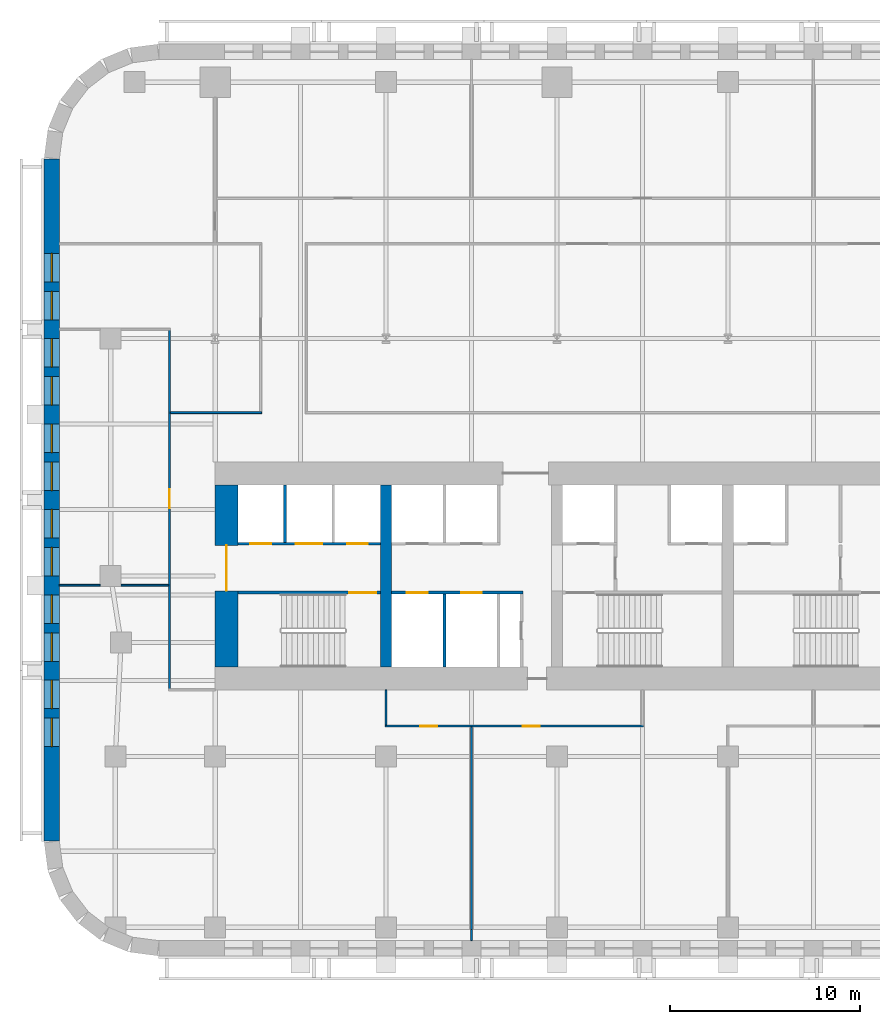
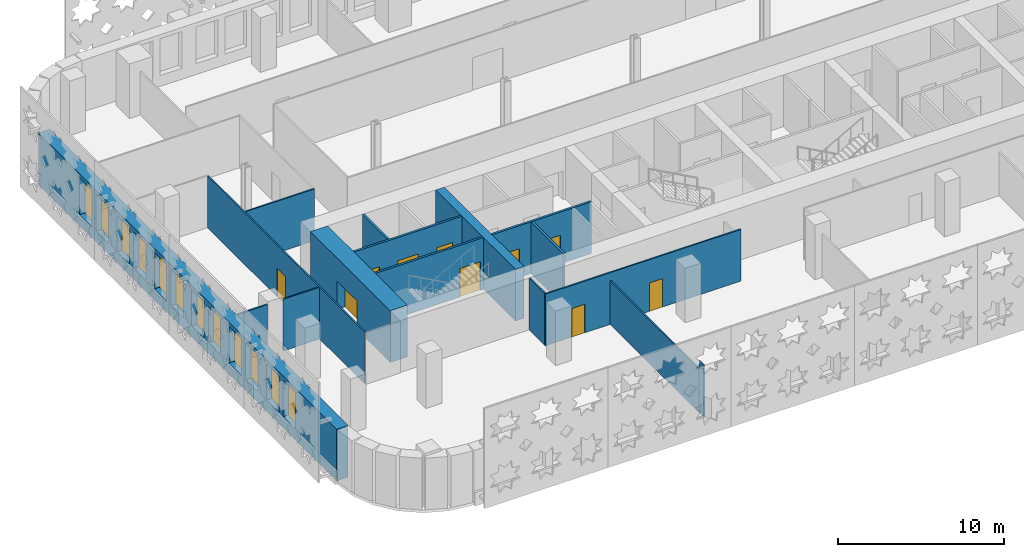
# One storey, part 3 of 15: 16 walls, 12 windows, 10 doors, 22 openings.
"""IFC4 building model written with IfcOpenShell, lengths in metres."""

from ifc_helpers import new_model, si_unit, direction, frame, frame_2d, origin, place, context, subcontext, project, spatial, rectangle, extrude, material, layer, layer_set, type_object, element, fill, save


model = new_model("IFC4")

# Units and contexts
model_context = context("Model", 3, precision=1e-05, world=origin(), true_north=direction((0.0, 1.0)))
body_context = subcontext(model_context, "Body", "Model", "MODEL_VIEW")
ifc_project = project(units=[si_unit("LENGTHUNIT", "METRE"), si_unit("AREAUNIT", "SQUARE_METRE"), si_unit("VOLUMEUNIT", "CUBIC_METRE"), si_unit("PLANEANGLEUNIT", "RADIAN"), si_unit("MASSUNIT", "GRAM", prefix="KILO")], contexts=[model_context])

# Site, building, storey
site_placement = place(None, origin())
site = spatial("IfcSite", under=ifc_project, at=site_placement, CompositionType="ELEMENT")
building_placement = place(site_placement, origin())
building = spatial("IfcBuilding", under=site, at=building_placement, Name="Zellij Exchange Tower", CompositionType="ELEMENT")
storey_placement = place(building_placement, frame((0.0, 0.0, 92.5)))
storey = spatial("IfcBuildingStorey", under=building, at=storey_placement, Name="L19", CompositionType="ELEMENT", Elevation=92.5)

# Walls
ifc_material_1 = material(Name="Concrete C70/85", Category="concrete")
ifc_layer_1 = layer(ifc_material_1, 0.60009765625)
ifc_layer_set_1 = layer_set([ifc_layer_1], Name="Concrete C70/85")
wall_type_1 = type_object("IfcWallType", Name="CORE-CW 600 C70/85", PredefinedType="SHEAR", material=ifc_layer_set_1)
wall_1_placement = place(storey_placement, frame((-18.0, -12.800048828125, 0.0), z_axis=(0.0, 0.0, 1.0), x_axis=(0.0, 1.0, 0.0)))
element("IfcWall", 1, at=wall_1_placement, inside=storey, type_object=wall_type_1, Name="Core cross wall x -18 L19", PredefinedType="SHEAR", context=body_context, shape_type="SweptSolid", body=[
    extrude(rectangle(XDim=9.60009765625, YDim=0.60009765625, at=frame_2d((4.800048828125, 0.0))), origin(), (0.0, 0.0, 1.0), 3.800048828125),
])
ifc_material_2 = material(Name="Gypsum shaft wall system")
ifc_layer_2 = layer(ifc_material_2, 0.14990234375)
ifc_layer_set_2 = layer_set([ifc_layer_2], Name="Gypsum shaft wall system")
wall_type_2 = type_object("IfcWallType", Name="CORE-PW 150 Lift shaft wall", PredefinedType="PARTITIONING", material=ifc_layer_set_2)
wall_2_placement = place(storey_placement, frame((-23.324951171875, -6.22509765625, 0.0), z_axis=(0.0, 0.0, 1.0), x_axis=(0.0, 1.0, 0.0)))
element("IfcWall", 2, at=wall_2_placement, inside=storey, type_object=wall_type_2, Name="Lift shaft wall L19", PredefinedType="PARTITIONING", context=body_context, shape_type="SweptSolid", body=[
    extrude(rectangle(XDim=3.025146484375, YDim=0.14990234375, at=frame_2d((1.5126953125, 0.0))), origin(), (0.0, 0.0, 1.0), 3.800048828125),
])
wall_3_placement = place(storey_placement, frame((-14.925048828125, -12.800048828125, 0.0), z_axis=(0.0, 0.0, 1.0), x_axis=(0.0, 1.0, 0.0)))
element("IfcWall", 3, at=wall_3_placement, inside=storey, type_object=wall_type_2, Name="Lift shaft wall L19", PredefinedType="PARTITIONING", context=body_context, shape_type="SweptSolid", body=[
    extrude(rectangle(XDim=3.85009765625, YDim=0.14990234375, at=frame_2d((1.925048828125, 0.0))), origin(), (0.0, 0.0, 1.0), 3.800048828125),
])

# Wall, openings, doors
wall_4_placement = place(storey_placement, frame((-25.800048828125, -6.300048828125, 0.0), z_axis=(0.0, 0.0, 1.0), x_axis=(1.0, 0.0, 0.0)))
wall_4 = element("IfcWall", 4, at=wall_4_placement, inside=storey, type_object=wall_type_2, Name="Lift shaft wall L19", PredefinedType="PARTITIONING", context=body_context, shape_type="SweptSolid", body=[
    extrude(rectangle(XDim=7.5, YDim=0.14990234375, at=frame_2d((3.75, 0.0))), origin(), (0.0, 0.0, 1.0), 3.800048828125),
])
opening_1_placement = place(wall_4_placement, frame((0.64990234375, 0.0, 0.0)))
opening_1 = element("IfcOpeningElement", 5, at=opening_1_placement, cuts=wall_4, Name="Opening CA-10.02", PredefinedType="OPENING", context=body_context, shape_type="SweptSolid", body=[
    extrude(rectangle(XDim=1.10009765625, YDim=2.10009765625, at=frame_2d((0.550048828125, 1.050048828125))), frame((0.0, 0.0869140625, 0.0), z_axis=(0.0, -1.0, 0.0), x_axis=(1.0, 0.0, 0.0)), (0.0, 0.0, 1.0), 0.173828125),
])
opening_2_placement = place(wall_4_placement, frame((3.050048828125, 0.0, 0.0)))
opening_2 = element("IfcOpeningElement", 6, at=opening_2_placement, cuts=wall_4, Name="Opening CA-10.03", PredefinedType="OPENING", context=body_context, shape_type="SweptSolid", body=[
    extrude(rectangle(XDim=1.39990234375, YDim=2.10009765625, at=frame_2d((0.699951171875, 1.050048828125))), frame((0.0, 0.0869140625, 0.0), z_axis=(0.0, -1.0, 0.0), x_axis=(1.0, 0.0, 0.0)), (0.0, 0.0, 1.0), 0.173828125),
])
opening_3_placement = place(wall_4_placement, frame((5.75, 0.0, 0.0)))
opening_3 = element("IfcOpeningElement", 7, at=opening_3_placement, cuts=wall_4, Name="Opening CA-10.04", PredefinedType="OPENING", context=body_context, shape_type="SweptSolid", body=[
    extrude(rectangle(XDim=1.10009765625, YDim=2.10009765625, at=frame_2d((0.550048828125, 1.050048828125))), frame((0.0, 0.0869140625, 0.0), z_axis=(0.0, -1.0, 0.0), x_axis=(1.0, 0.0, 0.0)), (0.0, 0.0, 1.0), 0.173828125),
])
ifc_material_3 = material(Name="Hollow metal fire door")
door_type_1 = type_object("IfcDoorType", Name="CORE-D LD Lift landing door 1100x2100 1.5 HR", OperationType="NOTDEFINED", PredefinedType="DOOR", material=ifc_material_3)
door_1_placement = place(opening_1_placement, origin())
door_1 = element("IfcDoor", 8, at=door_1_placement, inside=storey, type_object=door_type_1, Name="Lift landing door CA-10.02", OperationType="SLIDING_TO_RIGHT", OverallHeight=2.10009765625, OverallWidth=1.10009765625, PredefinedType="DOOR", context=body_context, shape_type="SweptSolid", body=[
    extrude(rectangle(XDim=1.10009765625, YDim=2.10009765625, at=frame_2d((0.550048828125, 1.050048828125))), frame((0.0, 0.02490234375, 0.0), z_axis=(0.0, -1.0, 0.0), x_axis=(1.0, 0.0, 0.0)), (0.0, 0.0, 1.0), 0.050048828125),
])
fill(opening_1, door_1)
door_2_placement = place(opening_3_placement, origin())
door_2 = element("IfcDoor", 9, at=door_2_placement, inside=storey, type_object=door_type_1, Name="Lift landing door CA-10.04", OperationType="SLIDING_TO_RIGHT", OverallHeight=2.10009765625, OverallWidth=1.10009765625, PredefinedType="DOOR", context=body_context, shape_type="SweptSolid", body=[
    extrude(rectangle(XDim=1.10009765625, YDim=2.10009765625, at=frame_2d((0.550048828125, 1.050048828125))), frame((0.0, 0.02490234375, 0.0), z_axis=(0.0, -1.0, 0.0), x_axis=(1.0, 0.0, 0.0)), (0.0, 0.0, 1.0), 0.050048828125),
])
fill(opening_3, door_2)
door_type_2 = type_object("IfcDoorType", Name="CORE-D LD2 Service lift landing door 1400x2100 1.5 HR", OperationType="NOTDEFINED", PredefinedType="DOOR", material=ifc_material_3)
door_3_placement = place(opening_2_placement, origin())
door_3 = element("IfcDoor", 10, at=door_3_placement, inside=storey, type_object=door_type_2, Name="Service lift landing door CA-10.03", OperationType="SLIDING_TO_LEFT", OverallHeight=2.10009765625, OverallWidth=1.39990234375, PredefinedType="DOOR", context=body_context, shape_type="SweptSolid", body=[
    extrude(rectangle(XDim=1.39990234375, YDim=2.10009765625, at=frame_2d((0.699951171875, 1.050048828125))), frame((0.0, 0.02490234375, 0.0), z_axis=(0.0, -1.0, 0.0), x_axis=(1.0, 0.0, 0.0)), (0.0, 0.0, 1.0), 0.050048828125),
])
fill(opening_2, door_3)

wall_5_placement = place(storey_placement, frame((-17.699951171875, -8.875, 0.0), z_axis=(0.0, 0.0, 1.0), x_axis=(1.0, 0.0, 0.0)))
wall_5 = element("IfcWall", 11, at=wall_5_placement, inside=storey, type_object=wall_type_2, Name="Lift shaft wall L19", PredefinedType="PARTITIONING", context=body_context, shape_type="SweptSolid", body=[
    extrude(rectangle(XDim=6.89990234375, YDim=0.14990234375, at=frame_2d((3.449951171875, 0.0))), origin(), (0.0, 0.0, 1.0), 3.800048828125),
])
opening_4_placement = place(wall_5_placement, frame((0.800048828125, 0.0, 0.0)))
opening_4 = element("IfcOpeningElement", 12, at=opening_4_placement, cuts=wall_5, Name="Opening CA-10.06", PredefinedType="OPENING", context=body_context, shape_type="SweptSolid", body=[
    extrude(rectangle(XDim=1.10009765625, YDim=2.10009765625, at=frame_2d((0.550048828125, 1.050048828125))), frame((0.0, 0.0869140625, 0.0), z_axis=(0.0, -1.0, 0.0), x_axis=(1.0, 0.0, 0.0)), (0.0, 0.0, 1.0), 0.173828125),
])
opening_5_placement = place(wall_5_placement, frame((3.64990234375, 0.0, 0.0)))
opening_5 = element("IfcOpeningElement", 13, at=opening_5_placement, cuts=wall_5, Name="Opening CA-10.08", PredefinedType="OPENING", context=body_context, shape_type="SweptSolid", body=[
    extrude(rectangle(XDim=1.10009765625, YDim=2.10009765625, at=frame_2d((0.550048828125, 1.050048828125))), frame((0.0, 0.0869140625, 0.0), z_axis=(0.0, -1.0, 0.0), x_axis=(1.0, 0.0, 0.0)), (0.0, 0.0, 1.0), 0.173828125),
])
door_4_placement = place(opening_4_placement, origin())
door_4 = element("IfcDoor", 14, at=door_4_placement, inside=storey, type_object=door_type_1, Name="Lift landing door CA-10.06", OperationType="SLIDING_TO_RIGHT", OverallHeight=2.10009765625, OverallWidth=1.10009765625, PredefinedType="DOOR", context=body_context, shape_type="SweptSolid", body=[
    extrude(rectangle(XDim=1.10009765625, YDim=2.10009765625, at=frame_2d((0.550048828125, 1.050048828125))), frame((0.0, 0.02490234375, 0.0), z_axis=(0.0, -1.0, 0.0), x_axis=(1.0, 0.0, 0.0)), (0.0, 0.0, 1.0), 0.050048828125),
])
fill(opening_4, door_4)
door_5_placement = place(opening_5_placement, origin())
door_5 = element("IfcDoor", 15, at=door_5_placement, inside=storey, type_object=door_type_1, Name="Lift landing door CA-10.08", OperationType="SLIDING_TO_RIGHT", OverallHeight=2.10009765625, OverallWidth=1.10009765625, PredefinedType="DOOR", context=body_context, shape_type="SweptSolid", body=[
    extrude(rectangle(XDim=1.10009765625, YDim=2.10009765625, at=frame_2d((0.550048828125, 1.050048828125))), frame((0.0, 0.02490234375, 0.0), z_axis=(0.0, -1.0, 0.0), x_axis=(1.0, 0.0, 0.0)), (0.0, 0.0, 1.0), 0.050048828125),
])
fill(opening_5, door_5)

# Wall, opening, door
ifc_layer_3 = layer(ifc_material_1, 1.199951171875)
ifc_layer_set_3 = layer_set([ifc_layer_3], Name="Concrete C70/85")
wall_type_3 = type_object("IfcWallType", Name="CORE-SW 1200 C70/85", PredefinedType="SHEAR", material=ifc_layer_set_3)
wall_6_placement = place(storey_placement, frame((-26.39990234375, -12.800048828125, 0.0), z_axis=(0.0, 0.0, 1.0), x_axis=(0.0, 1.0, 0.0)))
wall_6 = element("IfcWall", 16, at=wall_6_placement, inside=storey, type_object=wall_type_3, Name="Core shear wall end w L19", PredefinedType="SHEAR", context=body_context, shape_type="SweptSolid", body=[
    extrude(rectangle(XDim=9.60009765625, YDim=1.199951171875, at=frame_2d((4.800048828125, 0.0))), origin(), (0.0, 0.0, 1.0), 3.800048828125),
])
opening_6_placement = place(wall_6_placement, frame((4.011962890625, 0.0, 0.0)))
opening_6 = element("IfcOpeningElement", 17, at=opening_6_placement, cuts=wall_6, Name="Opening CA-10.01", PredefinedType="OPENING", context=body_context, shape_type="SweptSolid", body=[
    extrude(rectangle(XDim=2.39990234375, YDim=2.10009765625, at=frame_2d((1.199951171875, 1.050048828125))), frame((0.0, 0.61181640625, 0.0), z_axis=(0.0, -1.0, 0.0), x_axis=(1.0, 0.0, 0.0)), (0.0, 0.0, 1.0), 1.223876953125),
])
door_type_3 = type_object("IfcDoorType", Name="CORE-D CE Core entrance door 2400x2100 20 MIN", OperationType="NOTDEFINED", PredefinedType="DOOR", material=ifc_material_3)
door_6_placement = place(opening_6_placement, origin())
door_6 = element("IfcDoor", 18, at=door_6_placement, inside=storey, type_object=door_type_3, Name="Core entrance door CA-10.01", OperationType="DOUBLE_DOOR_SINGLE_SWING", OverallHeight=2.10009765625, OverallWidth=2.39990234375, PredefinedType="DOOR", context=body_context, shape_type="SweptSolid", body=[
    extrude(rectangle(XDim=2.39990234375, YDim=2.10009765625, at=frame_2d((1.199951171875, 1.050048828125))), frame((0.0, 0.02490234375, 0.0), z_axis=(0.0, -1.0, 0.0), x_axis=(1.0, 0.0, 0.0)), (0.0, 0.0, 1.0), 0.050048828125),
])
fill(opening_6, door_6)

ifc_layer_4 = layer(ifc_material_1, 0.14990234375)
ifc_layer_set_4 = layer_set([ifc_layer_4], Name="Concrete C70/85")
wall_type_4 = type_object("IfcWallType", Name="CORE-SWS 150 C70/85", PredefinedType="SHEAR", material=ifc_layer_set_4)
wall_7_placement = place(storey_placement, frame((-25.800048828125, -8.875, 0.0), z_axis=(0.0, 0.0, 1.0), x_axis=(1.0, 0.0, 0.0)))
wall_7 = element("IfcWall", 19, at=wall_7_placement, inside=storey, type_object=wall_type_4, Name="Stair enclosure wall L19", PredefinedType="SHEAR", context=body_context, shape_type="SweptSolid", body=[
    extrude(rectangle(XDim=7.5, YDim=0.14990234375, at=frame_2d((3.75, 0.0))), origin(), (0.0, 0.0, 1.0), 3.800048828125),
])
opening_7_placement = place(wall_7_placement, frame((5.875, 0.0, 0.0)))
opening_7 = element("IfcOpeningElement", 20, at=opening_7_placement, cuts=wall_7, Name="Opening CA-10.05", PredefinedType="OPENING", context=body_context, shape_type="SweptSolid", body=[
    extrude(rectangle(XDim=1.39990234375, YDim=2.10009765625, at=frame_2d((0.699951171875, 1.050048828125))), frame((0.0, 0.0869140625, 0.0), z_axis=(0.0, -1.0, 0.0), x_axis=(1.0, 0.0, 0.0)), (0.0, 0.0, 1.0), 0.173828125),
])
door_type_4 = type_object("IfcDoorType", Name="CORE-D SD Stair door 1400x2100 1.5 HR", OperationType="NOTDEFINED", PredefinedType="DOOR", material=ifc_material_3)
door_7_placement = place(opening_7_placement, origin())
door_7 = element("IfcDoor", 21, at=door_7_placement, inside=storey, type_object=door_type_4, Name="Stair door CA-10.05", OperationType="DOUBLE_DOOR_SINGLE_SWING", OverallHeight=2.10009765625, OverallWidth=1.39990234375, PredefinedType="DOOR", context=body_context, shape_type="SweptSolid", body=[
    extrude(rectangle(XDim=1.39990234375, YDim=2.10009765625, at=frame_2d((0.699951171875, 1.050048828125))), frame((0.0, 0.02490234375, 0.0), z_axis=(0.0, -1.0, 0.0), x_axis=(1.0, 0.0, 0.0)), (0.0, 0.0, 1.0), 0.050048828125),
])
fill(opening_7, door_7)

# Wall, openings, windows
ifc_material_4 = material(Name="Precast concrete C40/50", Category="concrete")
ifc_layer_5 = layer(ifc_material_4, 0.800048828125)
ifc_layer_set_5 = layer_set([ifc_layer_5], Name="Precast concrete C40/50")
wall_type_5 = type_object("IfcWallType", Name="ENV-EW1 Precast stone-piered wall 800", PredefinedType="SOLIDWALL", material=ifc_layer_set_5)
wall_8_placement = place(storey_placement, frame((-35.60009765625, 13.947509765625, 0.0), z_axis=(0.0, 0.0, 1.0), x_axis=(0.0, -1.0, 0.0)))
wall_8 = element("IfcWall", 22, at=wall_8_placement, inside=storey, type_object=wall_type_5, Name="fac.L19.21", PredefinedType="SOLIDWALL", context=body_context, shape_type="SweptSolid", body=[
    extrude(rectangle(XDim=35.89501953125, YDim=0.800048828125, at=frame_2d((17.947509765625, 0.0))), origin(), (0.0, 0.0, 1.0), 3.800048828125),
])
opening_8_placement = place(wall_8_placement, frame((4.9638671875, 0.0, 0.800048828125)))
opening_8 = element("IfcOpeningElement", 23, at=opening_8_placement, cuts=wall_8, Name="Opening FZ1.61", PredefinedType="OPENING", context=body_context, shape_type="SweptSolid", body=[
    extrude(rectangle(XDim=1.5, YDim=2.699951171875, at=frame_2d((0.75, 1.35009765625))), frame((0.0, 0.412109375, 0.0), z_axis=(0.0, -1.0, 0.0), x_axis=(1.0, 0.0, 0.0)), (0.0, 0.0, 1.0), 0.823974609375),
])
opening_9_placement = place(wall_8_placement, frame((6.9638671875, 0.0, 0.800048828125)))
opening_9 = element("IfcOpeningElement", 24, at=opening_9_placement, cuts=wall_8, Name="Opening FZ1.62", PredefinedType="OPENING", context=body_context, shape_type="SweptSolid", body=[
    extrude(rectangle(XDim=1.5, YDim=2.699951171875, at=frame_2d((0.75, 1.35009765625))), frame((0.0, 0.412109375, 0.0), z_axis=(0.0, -1.0, 0.0), x_axis=(1.0, 0.0, 0.0)), (0.0, 0.0, 1.0), 0.823974609375),
])
opening_10_placement = place(wall_8_placement, frame((9.45751953125, 0.0, 0.800048828125)))
opening_10 = element("IfcOpeningElement", 25, at=opening_10_placement, cuts=wall_8, Name="Opening FZ1.63", PredefinedType="OPENING", context=body_context, shape_type="SweptSolid", body=[
    extrude(rectangle(XDim=1.5, YDim=2.699951171875, at=frame_2d((0.75, 1.35009765625))), frame((0.0, 0.412109375, 0.0), z_axis=(0.0, -1.0, 0.0), x_axis=(1.0, 0.0, 0.0)), (0.0, 0.0, 1.0), 0.823974609375),
])
opening_11_placement = place(wall_8_placement, frame((11.45751953125, 0.0, 0.800048828125)))
opening_11 = element("IfcOpeningElement", 26, at=opening_11_placement, cuts=wall_8, Name="Opening FZ1.64", PredefinedType="OPENING", context=body_context, shape_type="SweptSolid", body=[
    extrude(rectangle(XDim=1.5, YDim=2.699951171875, at=frame_2d((0.75, 1.35009765625))), frame((0.0, 0.412109375, 0.0), z_axis=(0.0, -1.0, 0.0), x_axis=(1.0, 0.0, 0.0)), (0.0, 0.0, 1.0), 0.823974609375),
])
opening_12_placement = place(wall_8_placement, frame((13.950927734375, 0.0, 0.800048828125)))
opening_12 = element("IfcOpeningElement", 27, at=opening_12_placement, cuts=wall_8, Name="Opening FZ1.65", PredefinedType="OPENING", context=body_context, shape_type="SweptSolid", body=[
    extrude(rectangle(XDim=1.5, YDim=2.699951171875, at=frame_2d((0.75, 1.35009765625))), frame((0.0, 0.412109375, 0.0), z_axis=(0.0, -1.0, 0.0), x_axis=(1.0, 0.0, 0.0)), (0.0, 0.0, 1.0), 0.823974609375),
])
opening_13_placement = place(wall_8_placement, frame((15.95068359375, 0.0, 0.800048828125)))
opening_13 = element("IfcOpeningElement", 28, at=opening_13_placement, cuts=wall_8, Name="Opening FZ1.66", PredefinedType="OPENING", context=body_context, shape_type="SweptSolid", body=[
    extrude(rectangle(XDim=1.5, YDim=2.699951171875, at=frame_2d((0.75, 1.35009765625))), frame((0.0, 0.412109375, 0.0), z_axis=(0.0, -1.0, 0.0), x_axis=(1.0, 0.0, 0.0)), (0.0, 0.0, 1.0), 0.823974609375),
])
opening_14_placement = place(wall_8_placement, frame((18.4443359375, 0.0, 0.800048828125)))
opening_14 = element("IfcOpeningElement", 29, at=opening_14_placement, cuts=wall_8, Name="Opening FZ1.67", PredefinedType="OPENING", context=body_context, shape_type="SweptSolid", body=[
    extrude(rectangle(XDim=1.5, YDim=2.699951171875, at=frame_2d((0.75, 1.35009765625))), frame((0.0, 0.412109375, 0.0), z_axis=(0.0, -1.0, 0.0), x_axis=(1.0, 0.0, 0.0)), (0.0, 0.0, 1.0), 0.823974609375),
])
opening_15_placement = place(wall_8_placement, frame((20.4443359375, 0.0, 0.800048828125)))
opening_15 = element("IfcOpeningElement", 30, at=opening_15_placement, cuts=wall_8, Name="Opening FZ1.68", PredefinedType="OPENING", context=body_context, shape_type="SweptSolid", body=[
    extrude(rectangle(XDim=1.5, YDim=2.699951171875, at=frame_2d((0.75, 1.35009765625))), frame((0.0, 0.412109375, 0.0), z_axis=(0.0, -1.0, 0.0), x_axis=(1.0, 0.0, 0.0)), (0.0, 0.0, 1.0), 0.823974609375),
])
opening_16_placement = place(wall_8_placement, frame((22.937744140625, 0.0, 0.800048828125)))
opening_16 = element("IfcOpeningElement", 31, at=opening_16_placement, cuts=wall_8, Name="Opening FZ1.69", PredefinedType="OPENING", context=body_context, shape_type="SweptSolid", body=[
    extrude(rectangle(XDim=1.5, YDim=2.699951171875, at=frame_2d((0.75, 1.35009765625))), frame((0.0, 0.412109375, 0.0), z_axis=(0.0, -1.0, 0.0), x_axis=(1.0, 0.0, 0.0)), (0.0, 0.0, 1.0), 0.823974609375),
])
opening_17_placement = place(wall_8_placement, frame((24.937744140625, 0.0, 0.800048828125)))
opening_17 = element("IfcOpeningElement", 32, at=opening_17_placement, cuts=wall_8, Name="Opening FZ1.70", PredefinedType="OPENING", context=body_context, shape_type="SweptSolid", body=[
    extrude(rectangle(XDim=1.5, YDim=2.699951171875, at=frame_2d((0.75, 1.35009765625))), frame((0.0, 0.412109375, 0.0), z_axis=(0.0, -1.0, 0.0), x_axis=(1.0, 0.0, 0.0)), (0.0, 0.0, 1.0), 0.823974609375),
])
opening_18_placement = place(wall_8_placement, frame((27.43115234375, 0.0, 0.800048828125)))
opening_18 = element("IfcOpeningElement", 33, at=opening_18_placement, cuts=wall_8, Name="Opening FZ1.71", PredefinedType="OPENING", context=body_context, shape_type="SweptSolid", body=[
    extrude(rectangle(XDim=1.5, YDim=2.699951171875, at=frame_2d((0.75, 1.35009765625))), frame((0.0, 0.412109375, 0.0), z_axis=(0.0, -1.0, 0.0), x_axis=(1.0, 0.0, 0.0)), (0.0, 0.0, 1.0), 0.823974609375),
])
opening_19_placement = place(wall_8_placement, frame((29.43115234375, 0.0, 0.800048828125)))
opening_19 = element("IfcOpeningElement", 34, at=opening_19_placement, cuts=wall_8, Name="Opening FZ1.72", PredefinedType="OPENING", context=body_context, shape_type="SweptSolid", body=[
    extrude(rectangle(XDim=1.5, YDim=2.699951171875, at=frame_2d((0.75, 1.35009765625))), frame((0.0, 0.412109375, 0.0), z_axis=(0.0, -1.0, 0.0), x_axis=(1.0, 0.0, 0.0)), (0.0, 0.0, 1.0), 0.823974609375),
])
ifc_material_5 = material(Name="Aluminium frame with insulating glass", Category="aluminium")
window_type = type_object("IfcWindowType", Name="ENV-W6 Window 1500x2700", PartitioningType="SINGLE_PANEL", PredefinedType="WINDOW", material=ifc_material_5)
window_1_placement = place(opening_8_placement, origin())
window_1 = element("IfcWindow", 35, at=window_1_placement, inside=storey, type_object=window_type, Name="Window FZ1.61", OverallHeight=2.699951171875, OverallWidth=1.5, PartitioningType="SINGLE_PANEL", PredefinedType="WINDOW", context=body_context, shape_type="SweptSolid", body=[
    extrude(rectangle(XDim=1.5, YDim=2.699951171875, at=frame_2d((0.75, 1.35009765625))), frame((0.0, 0.030029296875, 0.0), z_axis=(0.0, -1.0, 0.0), x_axis=(1.0, 0.0, 0.0)), (0.0, 0.0, 1.0), 0.06005859375),
])
fill(opening_8, window_1)
window_2_placement = place(opening_9_placement, origin())
window_2 = element("IfcWindow", 36, at=window_2_placement, inside=storey, type_object=window_type, Name="Window FZ1.62", OverallHeight=2.699951171875, OverallWidth=1.5, PartitioningType="SINGLE_PANEL", PredefinedType="WINDOW", context=body_context, shape_type="SweptSolid", body=[
    extrude(rectangle(XDim=1.5, YDim=2.699951171875, at=frame_2d((0.75, 1.35009765625))), frame((0.0, 0.030029296875, 0.0), z_axis=(0.0, -1.0, 0.0), x_axis=(1.0, 0.0, 0.0)), (0.0, 0.0, 1.0), 0.06005859375),
])
fill(opening_9, window_2)
window_3_placement = place(opening_10_placement, origin())
window_3 = element("IfcWindow", 37, at=window_3_placement, inside=storey, type_object=window_type, Name="Window FZ1.63", OverallHeight=2.699951171875, OverallWidth=1.5, PartitioningType="SINGLE_PANEL", PredefinedType="WINDOW", context=body_context, shape_type="SweptSolid", body=[
    extrude(rectangle(XDim=1.5, YDim=2.699951171875, at=frame_2d((0.75, 1.35009765625))), frame((0.0, 0.030029296875, 0.0), z_axis=(0.0, -1.0, 0.0), x_axis=(1.0, 0.0, 0.0)), (0.0, 0.0, 1.0), 0.06005859375),
])
fill(opening_10, window_3)
window_4_placement = place(opening_11_placement, origin())
window_4 = element("IfcWindow", 38, at=window_4_placement, inside=storey, type_object=window_type, Name="Window FZ1.64", OverallHeight=2.699951171875, OverallWidth=1.5, PartitioningType="SINGLE_PANEL", PredefinedType="WINDOW", context=body_context, shape_type="SweptSolid", body=[
    extrude(rectangle(XDim=1.5, YDim=2.699951171875, at=frame_2d((0.75, 1.35009765625))), frame((0.0, 0.030029296875, 0.0), z_axis=(0.0, -1.0, 0.0), x_axis=(1.0, 0.0, 0.0)), (0.0, 0.0, 1.0), 0.06005859375),
])
fill(opening_11, window_4)
window_5_placement = place(opening_12_placement, origin())
window_5 = element("IfcWindow", 39, at=window_5_placement, inside=storey, type_object=window_type, Name="Window FZ1.65", OverallHeight=2.699951171875, OverallWidth=1.5, PartitioningType="SINGLE_PANEL", PredefinedType="WINDOW", context=body_context, shape_type="SweptSolid", body=[
    extrude(rectangle(XDim=1.5, YDim=2.699951171875, at=frame_2d((0.75, 1.35009765625))), frame((0.0, 0.030029296875, 0.0), z_axis=(0.0, -1.0, 0.0), x_axis=(1.0, 0.0, 0.0)), (0.0, 0.0, 1.0), 0.06005859375),
])
fill(opening_12, window_5)
window_6_placement = place(opening_13_placement, origin())
window_6 = element("IfcWindow", 40, at=window_6_placement, inside=storey, type_object=window_type, Name="Window FZ1.66", OverallHeight=2.699951171875, OverallWidth=1.5, PartitioningType="SINGLE_PANEL", PredefinedType="WINDOW", context=body_context, shape_type="SweptSolid", body=[
    extrude(rectangle(XDim=1.5, YDim=2.699951171875, at=frame_2d((0.75, 1.35009765625))), frame((0.0, 0.030029296875, 0.0), z_axis=(0.0, -1.0, 0.0), x_axis=(1.0, 0.0, 0.0)), (0.0, 0.0, 1.0), 0.06005859375),
])
fill(opening_13, window_6)
window_7_placement = place(opening_14_placement, origin())
window_7 = element("IfcWindow", 41, at=window_7_placement, inside=storey, type_object=window_type, Name="Window FZ1.67", OverallHeight=2.699951171875, OverallWidth=1.5, PartitioningType="SINGLE_PANEL", PredefinedType="WINDOW", context=body_context, shape_type="SweptSolid", body=[
    extrude(rectangle(XDim=1.5, YDim=2.699951171875, at=frame_2d((0.75, 1.35009765625))), frame((0.0, 0.030029296875, 0.0), z_axis=(0.0, -1.0, 0.0), x_axis=(1.0, 0.0, 0.0)), (0.0, 0.0, 1.0), 0.06005859375),
])
fill(opening_14, window_7)
window_8_placement = place(opening_15_placement, origin())
window_8 = element("IfcWindow", 42, at=window_8_placement, inside=storey, type_object=window_type, Name="Window FZ1.68", OverallHeight=2.699951171875, OverallWidth=1.5, PartitioningType="SINGLE_PANEL", PredefinedType="WINDOW", context=body_context, shape_type="SweptSolid", body=[
    extrude(rectangle(XDim=1.5, YDim=2.699951171875, at=frame_2d((0.75, 1.35009765625))), frame((0.0, 0.030029296875, 0.0), z_axis=(0.0, -1.0, 0.0), x_axis=(1.0, 0.0, 0.0)), (0.0, 0.0, 1.0), 0.06005859375),
])
fill(opening_15, window_8)
window_9_placement = place(opening_16_placement, origin())
window_9 = element("IfcWindow", 43, at=window_9_placement, inside=storey, type_object=window_type, Name="Window FZ1.69", OverallHeight=2.699951171875, OverallWidth=1.5, PartitioningType="SINGLE_PANEL", PredefinedType="WINDOW", context=body_context, shape_type="SweptSolid", body=[
    extrude(rectangle(XDim=1.5, YDim=2.699951171875, at=frame_2d((0.75, 1.35009765625))), frame((0.0, 0.030029296875, 0.0), z_axis=(0.0, -1.0, 0.0), x_axis=(1.0, 0.0, 0.0)), (0.0, 0.0, 1.0), 0.06005859375),
])
fill(opening_16, window_9)
window_10_placement = place(opening_17_placement, origin())
window_10 = element("IfcWindow", 44, at=window_10_placement, inside=storey, type_object=window_type, Name="Window FZ1.70", OverallHeight=2.699951171875, OverallWidth=1.5, PartitioningType="SINGLE_PANEL", PredefinedType="WINDOW", context=body_context, shape_type="SweptSolid", body=[
    extrude(rectangle(XDim=1.5, YDim=2.699951171875, at=frame_2d((0.75, 1.35009765625))), frame((0.0, 0.030029296875, 0.0), z_axis=(0.0, -1.0, 0.0), x_axis=(1.0, 0.0, 0.0)), (0.0, 0.0, 1.0), 0.06005859375),
])
fill(opening_17, window_10)
window_11_placement = place(opening_18_placement, origin())
window_11 = element("IfcWindow", 45, at=window_11_placement, inside=storey, type_object=window_type, Name="Window FZ1.71", OverallHeight=2.699951171875, OverallWidth=1.5, PartitioningType="SINGLE_PANEL", PredefinedType="WINDOW", context=body_context, shape_type="SweptSolid", body=[
    extrude(rectangle(XDim=1.5, YDim=2.699951171875, at=frame_2d((0.75, 1.35009765625))), frame((0.0, 0.030029296875, 0.0), z_axis=(0.0, -1.0, 0.0), x_axis=(1.0, 0.0, 0.0)), (0.0, 0.0, 1.0), 0.06005859375),
])
fill(opening_18, window_11)
window_12_placement = place(opening_19_placement, origin())
window_12 = element("IfcWindow", 46, at=window_12_placement, inside=storey, type_object=window_type, Name="Window FZ1.72", OverallHeight=2.699951171875, OverallWidth=1.5, PartitioningType="SINGLE_PANEL", PredefinedType="WINDOW", context=body_context, shape_type="SweptSolid", body=[
    extrude(rectangle(XDim=1.5, YDim=2.699951171875, at=frame_2d((0.75, 1.35009765625))), frame((0.0, 0.030029296875, 0.0), z_axis=(0.0, -1.0, 0.0), x_axis=(1.0, 0.0, 0.0)), (0.0, 0.0, 1.0), 0.06005859375),
])
fill(opening_19, window_12)

# Walls
ifc_material_6 = material(Name="Gypsum board partition on steel studs", Category="steel")
ifc_layer_6 = layer(ifc_material_6, 0.10009765625)
ifc_layer_set_6 = layer_set([ifc_layer_6], Name="Gypsum board partition on steel studs")
wall_type_6 = type_object("IfcWallType", Name="FIT-PARTITION-100", PredefinedType="PARTITIONING", material=ifc_layer_set_6)
wall_9_placement = place(storey_placement, frame((-13.5, -27.199951171875, 0.0), z_axis=(0.0, 0.0, 1.0), x_axis=(0.0, 1.0, 0.0)))
element("IfcWall", 47, at=wall_9_placement, inside=storey, type_object=wall_type_6, Name="FIT-PARTITION-100 001", PredefinedType="PARTITIONING", context=body_context, shape_type="SweptSolid", body=[
    extrude(rectangle(XDim=0.58544921875, YDim=0.10009765625, at=frame_2d((0.292724609375, 0.0))), origin(), (0.0, 0.0, 1.0), 3.800048828125),
])
wall_10_placement = place(storey_placement, frame((-13.5, -26.614501953125, 0.0), z_axis=(0.0, 0.0, 1.0), x_axis=(0.0, 1.0, 0.0)))
element("IfcWall", 48, at=wall_10_placement, inside=storey, type_object=wall_type_6, Name="FIT-PARTITION-100 002", PredefinedType="PARTITIONING", context=body_context, shape_type="SweptSolid", body=[
    extrude(rectangle(XDim=10.66455078125, YDim=0.10009765625, at=frame_2d((5.332275390625, 0.0))), origin(), (0.0, 0.0, 1.0), 3.197998046875),
])

# Wall, openings, doors
wall_11_placement = place(storey_placement, frame((-18.050048828125, -15.89990234375, 0.0), z_axis=(0.0, 0.0, 1.0), x_axis=(1.0, 0.0, 0.0)))
wall_11 = element("IfcWall", 49, at=wall_11_placement, inside=storey, type_object=wall_type_6, Name="FIT-PARTITION-100 007", PredefinedType="PARTITIONING", context=body_context, shape_type="SweptSolid", body=[
    extrude(rectangle(XDim=13.60009765625, YDim=0.10009765625, at=frame_2d((6.800048828125, 0.0))), origin(), (0.0, 0.0, 1.0), 3.800048828125),
])
opening_20_placement = place(wall_11_placement, frame((1.85009765625, 0.0, 0.0)))
opening_20 = element("IfcOpeningElement", 50, at=opening_20_placement, cuts=wall_11, Name="Opening TD.01", PredefinedType="OPENING", context=body_context, shape_type="SweptSolid", body=[
    extrude(rectangle(XDim=0.89990234375, YDim=2.10009765625, at=frame_2d((0.449951171875, 1.050048828125))), frame((0.0, 0.06201171875, 0.0), z_axis=(0.0, -1.0, 0.0), x_axis=(1.0, 0.0, 0.0)), (0.0, 0.0, 1.0), 0.1240234375),
])
opening_21_placement = place(wall_11_placement, frame((7.25, 0.0, 0.0)))
opening_21 = element("IfcOpeningElement", 51, at=opening_21_placement, cuts=wall_11, Name="Opening TD.02", PredefinedType="OPENING", context=body_context, shape_type="SweptSolid", body=[
    extrude(rectangle(XDim=0.89990234375, YDim=2.10009765625, at=frame_2d((0.449951171875, 1.050048828125))), frame((0.0, 0.06201171875, 0.0), z_axis=(0.0, -1.0, 0.0), x_axis=(1.0, 0.0, 0.0)), (0.0, 0.0, 1.0), 0.1240234375),
])
ifc_material_7 = material(Name="Timber door set", Category="wood")
door_type_5 = type_object("IfcDoorType", Name="FIT-D1-ROOM-900X2100", OperationType="SINGLE_SWING_LEFT", PredefinedType="DOOR", material=ifc_material_7)
door_8_placement = place(opening_20_placement, origin())
door_8 = element("IfcDoor", 52, at=door_8_placement, inside=storey, type_object=door_type_5, Name="Door TD.01", OperationType="SINGLE_SWING_LEFT", OverallHeight=2.10009765625, OverallWidth=0.89990234375, PredefinedType="DOOR", context=body_context, shape_type="SweptSolid", body=[
    extrude(rectangle(XDim=0.89990234375, YDim=2.10009765625, at=frame_2d((0.449951171875, 1.050048828125))), frame((0.0, 0.02490234375, 0.0), z_axis=(0.0, -1.0, 0.0), x_axis=(1.0, 0.0, 0.0)), (0.0, 0.0, 1.0), 0.050048828125),
])
fill(opening_20, door_8)
door_9_placement = place(opening_21_placement, origin())
door_9 = element("IfcDoor", 53, at=door_9_placement, inside=storey, type_object=door_type_5, Name="Door TD.02", OperationType="SINGLE_SWING_LEFT", OverallHeight=2.10009765625, OverallWidth=0.89990234375, PredefinedType="DOOR", context=body_context, shape_type="SweptSolid", body=[
    extrude(rectangle(XDim=0.89990234375, YDim=2.10009765625, at=frame_2d((0.449951171875, 1.050048828125))), frame((0.0, 0.02490234375, 0.0), z_axis=(0.0, -1.0, 0.0), x_axis=(1.0, 0.0, 0.0)), (0.0, 0.0, 1.0), 0.050048828125),
])
fill(opening_21, door_9)

# Wall
wall_12_placement = place(storey_placement, frame((-18.0, -15.85009765625, 0.0), z_axis=(0.0, 0.0, 1.0), x_axis=(0.0, 1.0, 0.0)))
element("IfcWall", 54, at=wall_12_placement, inside=storey, type_object=wall_type_6, Name="FIT-PARTITION-100 008", PredefinedType="PARTITIONING", context=body_context, shape_type="SweptSolid", body=[
    extrude(rectangle(XDim=1.85009765625, YDim=0.10009765625, at=frame_2d((0.925048828125, 0.0))), origin(), (0.0, 0.0, 1.0), 3.800048828125),
])

# Wall, opening, door
wall_13_placement = place(storey_placement, frame((-29.39990234375, -13.949951171875, 0.0), z_axis=(0.0, 0.0, 1.0), x_axis=(0.0, 1.0, 0.0)))
wall_13 = element("IfcWall", 55, at=wall_13_placement, inside=storey, type_object=wall_type_6, Name="FIT-PARTITION-100 014", PredefinedType="PARTITIONING", context=body_context, shape_type="SweptSolid", body=[
    extrude(rectangle(XDim=18.889892578125, YDim=0.10009765625, at=frame_2d((9.44482421875, 0.0))), origin(), (0.0, 0.0, 1.0), 3.800048828125),
])
opening_22_placement = place(wall_13_placement, frame((9.510009765625, 0.0, 0.0)))
opening_22 = element("IfcOpeningElement", 56, at=opening_22_placement, cuts=wall_13, Name="Opening TD.06", PredefinedType="OPENING", context=body_context, shape_type="SweptSolid", body=[
    extrude(rectangle(XDim=1.0, YDim=2.10009765625, at=frame_2d((0.5, 1.050048828125))), frame((0.0, 0.06201171875, 0.0), z_axis=(0.0, -1.0, 0.0), x_axis=(1.0, 0.0, 0.0)), (0.0, 0.0, 1.0), 0.1240234375),
])
door_type_6 = type_object("IfcDoorType", Name="FIT-D2-WIDE-1000X2100", OperationType="SINGLE_SWING_LEFT", PredefinedType="DOOR", material=ifc_material_7)
door_10_placement = place(opening_22_placement, origin())
door_10 = element("IfcDoor", 57, at=door_10_placement, inside=storey, type_object=door_type_6, Name="Door TD.06", OperationType="SINGLE_SWING_LEFT", OverallHeight=2.10009765625, OverallWidth=1.0, PredefinedType="DOOR", context=body_context, shape_type="SweptSolid", body=[
    extrude(rectangle(XDim=1.0, YDim=2.10009765625, at=frame_2d((0.5, 1.050048828125))), frame((0.0, 0.02490234375, 0.0), z_axis=(0.0, -1.0, 0.0), x_axis=(1.0, 0.0, 0.0)), (0.0, 0.0, 1.0), 0.050048828125),
])
fill(opening_22, door_10)

# Walls
wall_14_placement = place(storey_placement, frame((-35.199951171875, -8.489990234375, 0.0), z_axis=(0.0, 0.0, 1.0), x_axis=(1.0, 0.0, 0.0)))
element("IfcWall", 58, at=wall_14_placement, inside=storey, type_object=wall_type_6, Name="FIT-PARTITION-100 017", PredefinedType="PARTITIONING", context=body_context, shape_type="SweptSolid", body=[
    extrude(rectangle(XDim=2.14990234375, YDim=0.10009765625, at=frame_2d((1.074951171875, 0.0))), origin(), (0.0, 0.0, 1.0), 3.800048828125),
])
wall_15_placement = place(storey_placement, frame((-31.949951171875, -8.489990234375, 0.0), z_axis=(0.0, 0.0, 1.0), x_axis=(1.0, 0.0, 0.0)))
element("IfcWall", 59, at=wall_15_placement, inside=storey, type_object=wall_type_6, Name="FIT-PARTITION-100 018", PredefinedType="PARTITIONING", context=body_context, shape_type="SweptSolid", body=[
    extrude(rectangle(XDim=2.5, YDim=0.10009765625, at=frame_2d((1.25, 0.0))), origin(), (0.0, 0.0, 1.0), 3.800048828125),
])
wall_16_placement = place(storey_placement, frame((-29.35009765625, 0.60009765625, 0.0), z_axis=(0.0, 0.0, 1.0), x_axis=(1.0, 0.0, 0.0)))
element("IfcWall", 60, at=wall_16_placement, inside=storey, type_object=wall_type_6, Name="FIT-PARTITION-100 024", PredefinedType="PARTITIONING", context=body_context, shape_type="SweptSolid", body=[
    extrude(rectangle(XDim=4.800048828125, YDim=0.10009765625, at=frame_2d((2.39990234375, 0.0))), origin(), (0.0, 0.0, 1.0), 3.800048828125),
])

save(model, "model.ifc")
